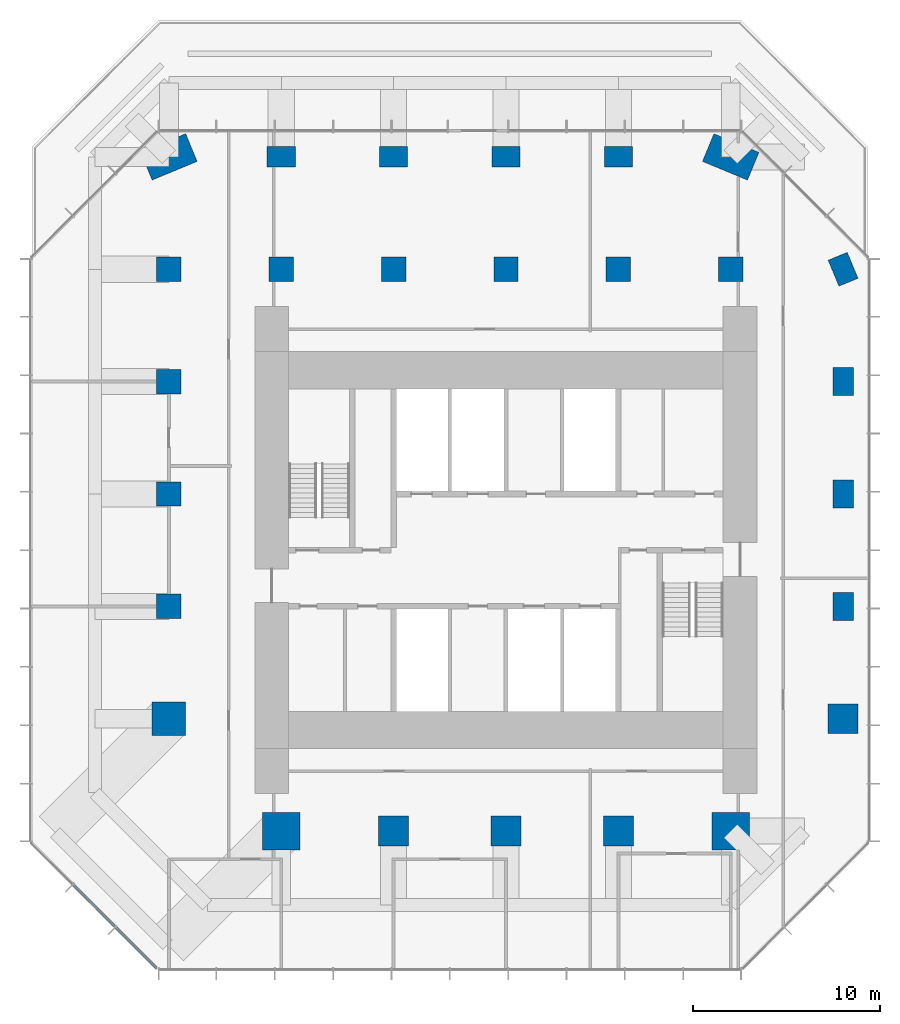
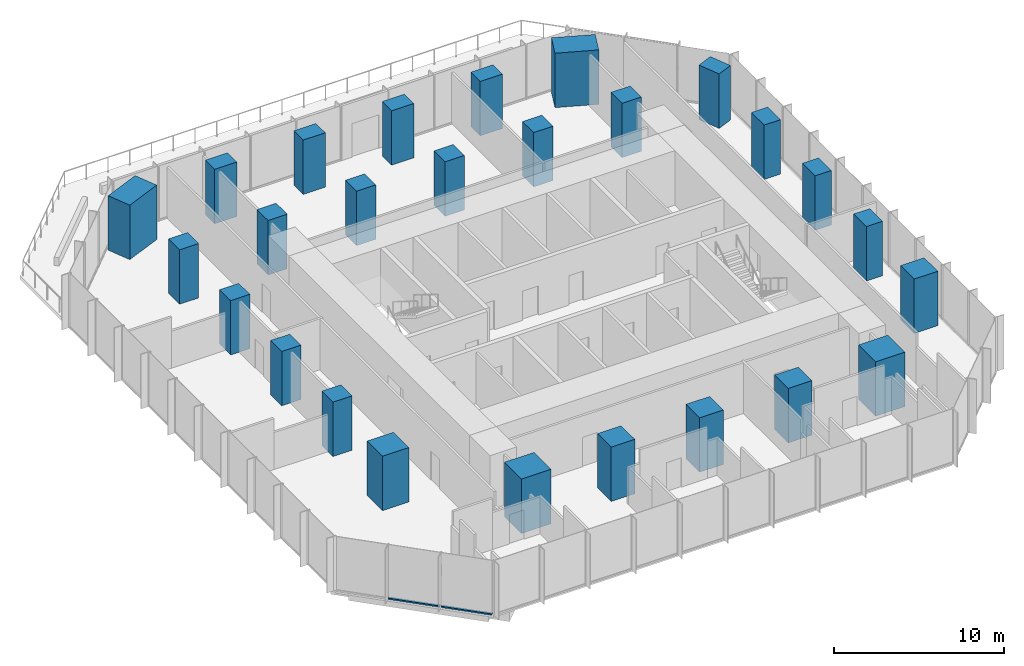
# One storey, part 1 of 11: 26 columns, 2 members, 1 element without a shape of its own.
"""IFC4 building model written with IfcOpenShell, lengths in metres."""

from ifc_helpers import new_model, si_unit, direction, frame, origin, origin_2d, place, context, subcontext, project, spatial, rectangle, extrude, material, layer, layer_set, material_profile, profile_set, type_object, element, aggregate, save


model = new_model("IFC4")

# Units and contexts
model_context = context("Model", 3, precision=1e-05, world=origin(), true_north=direction((0.0, 1.0)))
body_context = subcontext(model_context, "Body", "Model", "MODEL_VIEW")
ifc_project = project(units=[si_unit("LENGTHUNIT", "METRE"), si_unit("AREAUNIT", "SQUARE_METRE"), si_unit("VOLUMEUNIT", "CUBIC_METRE"), si_unit("PLANEANGLEUNIT", "RADIAN"), si_unit("MASSUNIT", "GRAM", prefix="KILO")], contexts=[model_context])

# Site, building, storey
site_placement = place(None, origin())
site = spatial("IfcSite", under=ifc_project, at=site_placement, CompositionType="ELEMENT")
building_placement = place(site_placement, origin())
building = spatial("IfcBuilding", under=site, at=building_placement, Name="Highveld Stack Headquarters", CompositionType="ELEMENT")
storey_placement = place(building_placement, frame((0.0, 0.0, 212.300048828125)))
storey = spatial("IfcBuildingStorey", under=building, at=storey_placement, Name="L52", CompositionType="ELEMENT", Elevation=212.300048828125)

# Columns
ifc_material_1 = material(Name="Concrete C60/75", Category="concrete")
ifc_material_profile_1 = material_profile(ifc_material_1, rectangle(XDim=1.300048828125, YDim=1.300048828125, at=origin_2d()), Name="RC 1300x1300")
ifc_profile_set_1 = profile_set([ifc_material_profile_1], Name="Concrete C60/75")
column_type_1 = type_object("IfcColumnType", Name="COLUMN RC 1300x1300 C60/75", PredefinedType="COLUMN", material=ifc_profile_set_1)
for number, where, z_axis, x_axis, name in (
    (1, (-12.0, 0.0, 0.0), (0.0, 0.0, 1.0), (1.0, 0.0, 0.0), "Column 4/E L52"),
    (2, (-12.0, 6.0, 0.0), (0.0, 0.0, 1.0), (1.0, 0.0, 0.0), "Column 4/F L52"),
    (3, (-12.0, 12.0, 0.0), (0.0, 0.0, 1.0), (1.0, 0.0, 0.0), "Column 4/G L52"),
    (4, (-12.0, 18.0, 0.0), (0.0, 0.0, 1.0), (1.0, 0.0, 0.0), "Column 4/H L52"),
    (5, (-6.0, 18.0, 0.0), (0.0, 0.0, 1.0), (1.0, 0.0, 0.0), "Column 5/H L52"),
    (6, (0.0, 18.0, 0.0), (0.0, 0.0, 1.0), (1.0, 0.0, 0.0), "Column 6/H L52"),
    (7, (6.0, 18.0, 0.0), (0.0, 0.0, 1.0), (1.0, 0.0, 0.0), "Column 7/H L52"),
    (8, (12.0, 18.0, 0.0), (0.0, 0.0, 1.0), (1.0, 0.0, 0.0), "Column 8/H L52"),
    (9, (18.0, 18.0, 0.0), (0.0, 0.0, 1.0), (1.0, 0.0, 0.0), "Column 9/H L52"),
):
    element("IfcColumn", number, at=place(storey_placement, frame(where, z_axis=z_axis, x_axis=x_axis)), inside=storey, type_object=column_type_1, Name=name, PredefinedType="COLUMN", context=body_context, shape_type="SweptSolid", body=[
        extrude(rectangle(XDim=1.300048828125, YDim=1.300048828125, at=origin_2d()), origin(), (0.0, 0.0, 1.0), 3.89990234375),
    ])
ifc_material_2 = material(Name="Concrete C60/75", Category="concrete")
ifc_material_profile_2 = material_profile(ifc_material_2, rectangle(XDim=1.5, YDim=1.10009765625, at=origin_2d()), Name="RC 1500x1100")
ifc_profile_set_2 = profile_set([ifc_material_profile_2], Name="Concrete C60/75")
column_type_2 = type_object("IfcColumnType", Name="COLUMN RC 1500x1100 C60/75", PredefinedType="COLUMN", material=ifc_profile_set_2)
for number, where, z_axis, x_axis, name in (
    (10, (-6.0, 24.0, 0.0), (0.0, 0.0, 1.0), (1.0, 0.0, 0.0), "Column 5/J L52"),
    (11, (0.0, 24.0, 0.0), (0.0, 0.0, 1.0), (1.0, 0.0, 0.0), "Column 6/J L52"),
    (12, (6.0, 24.0, 0.0), (0.0, 0.0, 1.0), (1.0, 0.0, 0.0), "Column 7/J L52"),
    (13, (12.0, 24.0, 0.0), (0.0, 0.0, 1.0), (1.0, 0.0, 0.0), "Column 8/J L52"),
    (14, (24.0, 0.0, 0.0), (0.0, 0.0, 1.0), (0.0, 1.0, 0.0), "Column 10/E L52"),
    (15, (24.0, 6.0, 0.0), (0.0, 0.0, 1.0), (0.0, 1.0, 0.0), "Column 10/F L52"),
    (16, (24.0, 12.0, 0.0), (0.0, 0.0, 1.0), (0.0, 1.0, 0.0), "Column 10/G L52"),
    (17, (24.0, 18.0, 0.0), (0.0, 0.0, 1.0), (0.382683432365, -0.923879532511, 0.0), "Column 10/H L52"),
):
    element("IfcColumn", number, at=place(storey_placement, frame(where, z_axis=z_axis, x_axis=x_axis)), inside=storey, type_object=column_type_2, Name=name, PredefinedType="COLUMN", context=body_context, shape_type="SweptSolid", body=[
        extrude(rectangle(XDim=1.5, YDim=1.10009765625, at=origin_2d()), origin(), (0.0, 0.0, 1.0), 3.89990234375),
    ])
ifc_material_3 = material(Name="Concrete C60/75", Category="concrete")
ifc_material_profile_3 = material_profile(ifc_material_3, rectangle(XDim=1.60009765625, YDim=1.60009765625, at=origin_2d()), Name="RC 1600x1600")
ifc_profile_set_3 = profile_set([ifc_material_profile_3], Name="Concrete C60/75")
column_type_3 = type_object("IfcColumnType", Name="COLUMN RC 1600x1600 C60/75", PredefinedType="COLUMN", material=ifc_profile_set_3)
for number, where, z_axis, x_axis, name in (
    (18, (0.0, -12.0, 0.0), (0.0, 0.0, 1.0), (1.0, 0.0, 0.0), "Column 6/C L52"),
    (19, (6.0, -12.0, 0.0), (0.0, 0.0, 1.0), (1.0, 0.0, 0.0), "Column 7/C L52"),
    (20, (12.0, -12.0, 0.0), (0.0, 0.0, 1.0), (1.0, 0.0, 0.0), "Column 8/C L52"),
    (21, (24.0, -6.0, 0.0), (0.0, 0.0, 1.0), (1.0, 0.0, 0.0), "Column 10/D L52"),
):
    element("IfcColumn", number, at=place(storey_placement, frame(where, z_axis=z_axis, x_axis=x_axis)), inside=storey, type_object=column_type_3, Name=name, PredefinedType="COLUMN", context=body_context, shape_type="SweptSolid", body=[
        extrude(rectangle(XDim=1.60009765625, YDim=1.60009765625, at=origin_2d()), origin(), (0.0, 0.0, 1.0), 3.89990234375),
    ])
ifc_material_4 = material(Name="Concrete C60/75", Category="concrete")
ifc_material_profile_4 = material_profile(ifc_material_4, rectangle(XDim=1.800048828125, YDim=1.800048828125, at=origin_2d()), Name="RC 1800x1800")
ifc_profile_set_4 = profile_set([ifc_material_profile_4], Name="Concrete C60/75")
column_type_4 = type_object("IfcColumnType", Name="COLUMN RC 1800x1800 C60/75", PredefinedType="COLUMN", material=ifc_profile_set_4)
column_placement = place(storey_placement, frame((-12.0, -6.0, 0.0), z_axis=(0.0, 0.0, 1.0), x_axis=(1.0, 0.0, 0.0)))
element("IfcColumn", 22, at=column_placement, inside=storey, type_object=column_type_4, Name="Column 4/D L52", PredefinedType="COLUMN", context=body_context, shape_type="SweptSolid", body=[
    extrude(rectangle(XDim=1.800048828125, YDim=1.800048828125, at=origin_2d()), origin(), (0.0, 0.0, 1.0), 3.89990234375),
])
ifc_material_5 = material(Name="Concrete C60/75", Category="concrete")
ifc_material_profile_5 = material_profile(ifc_material_5, rectangle(XDim=2.0, YDim=2.0, at=origin_2d()), Name="RC 2000x2000")
ifc_profile_set_5 = profile_set([ifc_material_profile_5], Name="Concrete C60/75")
column_type_5 = type_object("IfcColumnType", Name="COLUMN RC 2000x2000 C60/75", PredefinedType="COLUMN", material=ifc_profile_set_5)
for number, where, z_axis, x_axis, name in (
    (23, (-6.0, -12.0, 0.0), (0.0, 0.0, 1.0), (1.0, 0.0, 0.0), "Column 5/C L52"),
    (24, (18.0, -12.0, 0.0), (0.0, 0.0, 1.0), (1.0, 0.0, 0.0), "Column 9/C L52"),
):
    element("IfcColumn", number, at=place(storey_placement, frame(where, z_axis=z_axis, x_axis=x_axis)), inside=storey, type_object=column_type_5, Name=name, PredefinedType="COLUMN", context=body_context, shape_type="SweptSolid", body=[
        extrude(rectangle(XDim=2.0, YDim=2.0, at=origin_2d()), origin(), (0.0, 0.0, 1.0), 3.89990234375),
    ])
ifc_material_6 = material(Name="Concrete C60/75", Category="concrete")
ifc_material_profile_6 = material_profile(ifc_material_6, rectangle(XDim=2.60009765625, YDim=1.60009765625, at=origin_2d()), Name="RC 2600x1600")
ifc_profile_set_6 = profile_set([ifc_material_profile_6], Name="Concrete C60/75")
column_type_6 = type_object("IfcColumnType", Name="COLUMN RC 2600x1600 C60/75", PredefinedType="COLUMN", material=ifc_profile_set_6)
for number, where, z_axis, x_axis, name in (
    (25, (-12.0, 24.0, 0.0), (0.0, 0.0, 1.0), (0.923879532511, 0.382683432365, 0.0), "Column 4/J L52"),
    (26, (18.0, 24.0, 0.0), (0.0, 0.0, 1.0), (0.923879532511, -0.382683432365, 0.0), "Column 9/J L52"),
):
    element("IfcColumn", number, at=place(storey_placement, frame(where, z_axis=z_axis, x_axis=x_axis)), inside=storey, type_object=column_type_6, Name=name, PredefinedType="COLUMN", context=body_context, shape_type="SweptSolid", body=[
        extrude(rectangle(XDim=2.60009765625, YDim=1.60009765625, at=origin_2d()), origin(), (0.0, 0.0, 1.0), 3.89990234375),
    ])

# Curtain wall, members
ifc_material_7 = material(Name="Aluminium bronze anodised", Category="aluminium")
ifc_layer = layer(ifc_material_7, 0.199951171875)
ifc_layer_set = layer_set([ifc_layer], Name="Aluminium bronze anodised")
curtain_wall_type = type_object("IfcCurtainWallType", Name="CW2 TOWER CHAMFER UNITISED CURTAIN WALL", PredefinedType="NOTDEFINED", material=ifc_layer_set)
curtain_wall_placement = place(storey_placement, origin())
curtain_wall = element("IfcCurtainWall", 27, at=curtain_wall_placement, inside=storey, type_object=curtain_wall_type, Name="Curtain wall CW2 L52 SW", PredefinedType="NOTDEFINED")
ifc_material_8 = material(Name="Aluminium bronze anodised", Category="aluminium")
ifc_material_profile_7 = material_profile(ifc_material_8, rectangle(XDim=0.14990234375, YDim=0.10009765625, at=origin_2d()), Name="CW2 TRANSOM 150x100")
ifc_profile_set_7 = profile_set([ifc_material_profile_7], Name="Aluminium bronze anodised")
member_type = type_object("IfcMemberType", Name="CW2 STACK TRANSOM 150x100", PredefinedType="USERDEFINED", material=ifc_profile_set_7)
member_1_placement = place(storey_placement, frame((-17.103759765625, -14.876220703125, 0.050048828125), z_axis=(0.707106781187, -0.707106781187, 0.0), x_axis=(0.707106781187, 0.707106781187, 0.0)))
member_1 = element("IfcMember", 28, at=member_1_placement, type_object=member_type, Name="CW2 transom L52 2.1", ObjectType="TRANSOM", PredefinedType="USERDEFINED", context=body_context, shape_type="SweptSolid", body=[
    extrude(rectangle(XDim=0.14990234375, YDim=0.10009765625, at=origin_2d()), origin(), (0.0, 0.0, 1.0), 3.150146484375),
])
member_2_placement = place(storey_placement, frame((-14.830322265625, -17.149658203125, 0.050048828125), z_axis=(0.707106781187, -0.707106781187, 0.0), x_axis=(0.707106781187, 0.707106781187, 0.0)))
member_2 = element("IfcMember", 29, at=member_2_placement, type_object=member_type, Name="CW2 transom L52 3.1", ObjectType="TRANSOM", PredefinedType="USERDEFINED", context=body_context, shape_type="SweptSolid", body=[
    extrude(rectangle(XDim=0.14990234375, YDim=0.10009765625, at=origin_2d()), origin(), (0.0, 0.0, 1.0), 3.08251953125),
])
aggregate(curtain_wall, [member_1, member_2])

save(model, "model.ifc")
